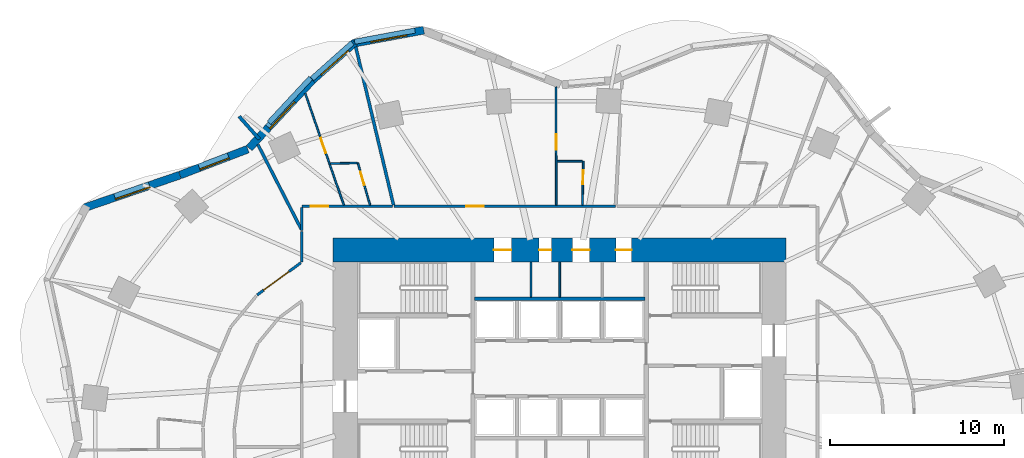
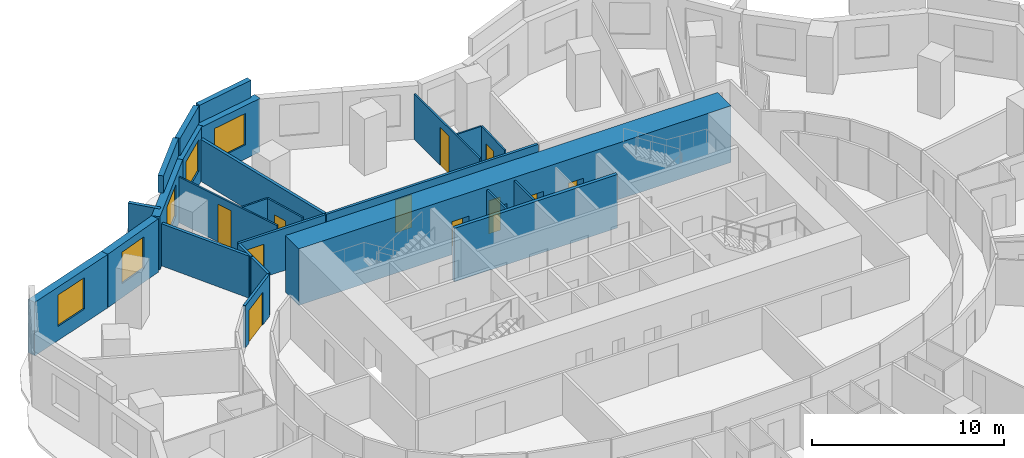
# One storey, part 8 of 11: 26 walls, 11 doors, 5 windows, 16 openings.
"""IFC4 building model written with IfcOpenShell, lengths in metres."""

from ifc_helpers import new_model, si_unit, direction, frame, frame_2d, origin, place, context, subcontext, project, spatial, rectangle, extrude, material, layer, layer_set, type_object, element, fill, save


model = new_model("IFC4")

# Units and contexts
model_context = context("Model", 3, precision=1e-05, world=origin(), true_north=direction((0.0, 1.0)))
body_context = subcontext(model_context, "Body", "Model", "MODEL_VIEW")
ifc_project = project(units=[si_unit("LENGTHUNIT", "METRE"), si_unit("AREAUNIT", "SQUARE_METRE"), si_unit("VOLUMEUNIT", "CUBIC_METRE"), si_unit("PLANEANGLEUNIT", "RADIAN"), si_unit("MASSUNIT", "GRAM", prefix="KILO")], contexts=[model_context])

# Site, building, storey
site_placement = place(None, origin())
site = spatial("IfcSite", under=ifc_project, at=site_placement, CompositionType="ELEMENT")
building_placement = place(site_placement, origin())
building = spatial("IfcBuilding", under=site, at=building_placement, Name="Rubra Terraces Tower", CompositionType="ELEMENT")
storey_placement = place(building_placement, frame((0.0, 0.0, 69.89990234375)))
storey = spatial("IfcBuildingStorey", under=building, at=storey_placement, Name="L15", CompositionType="ELEMENT", Elevation=69.89990234375)

# Walls
ifc_material_1 = material(Name="Twin plasterboard on staggered steel stud, acoustic mineral wool", Category="steel")
ifc_layer_1 = layer(ifc_material_1, 0.175048828125)
ifc_layer_set_1 = layer_set([ifc_layer_1], Name="Twin plasterboard on staggered steel stud, acoustic mineral wool")
wall_type_1 = type_object("IfcWallType", Name="ACOUSTIC PARTY WALL 175", PredefinedType="PARTITIONING", material=ifc_layer_set_1)
wall_1_placement = place(storey_placement, frame((-11.70654296875, 22.9560546875, 0.0), z_axis=(0.0, 0.0, 1.0), x_axis=(0.232379145345, -0.972625278722, 0.0)))
element("IfcWall", 1, at=wall_1_placement, inside=storey, type_object=wall_type_1, Name="PARTITION", PredefinedType="PARTITIONING", context=body_context, shape_type="SweptSolid", body=[
    extrude(rectangle(XDim=9.3388671875, YDim=0.175048828125, at=frame_2d((4.66943359375, 0.0))), origin(), (0.0, 0.0, 1.0), 2.68017578125),
])
wall_2_placement = place(storey_placement, frame((-17.322021484375, 17.347412109375, 0.0), z_axis=(0.0, 0.0, 1.0), x_axis=(0.45587154788, -0.890045578515, 0.0)))
element("IfcWall", 2, at=wall_2_placement, inside=storey, type_object=wall_type_1, Name="PARTITION", PredefinedType="PARTITIONING", context=body_context, shape_type="SweptSolid", body=[
    extrude(rectangle(XDim=5.457275390625, YDim=0.175048828125, at=frame_2d((2.728515625, 0.0))), origin(), (0.0, 0.0, 1.0), 2.68017578125),
])

# Wall, opening, window
ifc_material_2 = material(Name="Brick masonry red-brown", Category="masonry")
ifc_layer_2 = layer(ifc_material_2, 0.449951171875)
ifc_layer_set_2 = layer_set([ifc_layer_2], Name="Brick masonry red-brown")
wall_type_2 = type_object("IfcWallType", Name="Brick facade wall 450", PredefinedType="SOLIDWALL", material=ifc_layer_set_2)
wall_3_placement = place(storey_placement, frame((-7.80078125, 23.914794921875, 0.0), z_axis=(0.0, 0.0, 1.0), x_axis=(-0.983186467795, -0.182604407242, 0.0)))
wall_3 = element("IfcWall", 3, at=wall_3_placement, inside=storey, type_object=wall_type_2, Name="Facade wall L15 bay 13", PredefinedType="SOLIDWALL", context=body_context, shape_type="SweptSolid", body=[
    extrude(rectangle(XDim=4.140625, YDim=0.449951171875, at=frame_2d((2.0703125, 0.0))), origin(), (0.0, 0.0, 1.0), 3.400146484375),
])
opening_1_placement = place(wall_3_placement, frame((1.020263671875, 0.0, 0.89990234375)))
opening_1 = element("IfcOpeningElement", 4, at=opening_1_placement, cuts=wall_3, Name="Opening W1", PredefinedType="OPENING", context=body_context, shape_type="SweptSolid", body=[
    extrude(rectangle(XDim=2.10009765625, YDim=2.0, at=frame_2d((1.050048828125, 1.0))), frame((0.0, 0.23486328125, 0.0), z_axis=(0.0, -1.0, 0.0), x_axis=(1.0, 0.0, 0.0)), (0.0, 0.0, 1.0), 0.469970703125),
])
ifc_material_3 = material(Name="Clear glass in aluminium frame", Category="aluminium")
window_type_1 = type_object("IfcWindowType", Name="Fixed deep-set window 2100 x 2000", PartitioningType="SINGLE_PANEL", PredefinedType="WINDOW", material=ifc_material_3)
window_1_placement = place(opening_1_placement, origin())
window_1 = element("IfcWindow", 5, at=window_1_placement, inside=storey, type_object=window_type_1, Name="Window L15 bay 13", OverallHeight=2.0, OverallWidth=2.10009765625, PartitioningType="SINGLE_PANEL", PredefinedType="WINDOW", context=body_context, shape_type="SweptSolid", body=[
    extrude(rectangle(XDim=2.10009765625, YDim=2.0, at=frame_2d((1.050048828125, 1.0))), frame((0.0, 0.135009765625, 0.0), z_axis=(0.0, -1.0, 0.0), x_axis=(1.0, 0.0, 0.0)), (0.0, 0.0, 1.0), 0.06005859375),
])
fill(opening_1, window_1)

wall_4_placement = place(storey_placement, frame((-11.763427734375, 23.2119140625, 0.0), z_axis=(0.0, 0.0, 1.0), x_axis=(-0.74723528797, -0.664559571755, 0.0)))
wall_4 = element("IfcWall", 6, at=wall_4_placement, inside=storey, type_object=wall_type_2, Name="Facade wall L15 bay 14", PredefinedType="SOLIDWALL", context=body_context, shape_type="SweptSolid", body=[
    extrude(rectangle(XDim=3.251220703125, YDim=0.449951171875, at=frame_2d((1.62548828125, 0.0))), origin(), (0.0, 0.0, 1.0), 3.400146484375),
])
opening_2_placement = place(wall_4_placement, frame((0.57568359375, 0.0, 0.89990234375)))
opening_2 = element("IfcOpeningElement", 7, at=opening_2_placement, cuts=wall_4, Name="Opening W1", PredefinedType="OPENING", context=body_context, shape_type="SweptSolid", body=[
    extrude(rectangle(XDim=2.10009765625, YDim=2.0, at=frame_2d((1.050048828125, 1.0))), frame((0.0, 0.23486328125, 0.0), z_axis=(0.0, -1.0, 0.0), x_axis=(1.0, 0.0, 0.0)), (0.0, 0.0, 1.0), 0.469970703125),
])
window_2_placement = place(opening_2_placement, origin())
window_2 = element("IfcWindow", 8, at=window_2_placement, inside=storey, type_object=window_type_1, Name="Window L15 bay 14", OverallHeight=2.0, OverallWidth=2.10009765625, PartitioningType="SINGLE_PANEL", PredefinedType="WINDOW", context=body_context, shape_type="SweptSolid", body=[
    extrude(rectangle(XDim=2.10009765625, YDim=2.0, at=frame_2d((1.050048828125, 1.0))), frame((0.0, 0.135009765625, 0.0), z_axis=(0.0, -1.0, 0.0), x_axis=(1.0, 0.0, 0.0)), (0.0, 0.0, 1.0), 0.06005859375),
])
fill(opening_2, window_2)

wall_5_placement = place(storey_placement, frame((-14.177490234375, 21.066162109375, 0.0), z_axis=(0.0, 0.0, 1.0), x_axis=(-0.680847709714, -0.732425010617, 0.0)))
wall_5 = element("IfcWall", 9, at=wall_5_placement, inside=storey, type_object=wall_type_2, Name="Facade wall L15 bay 15", PredefinedType="SOLIDWALL", context=body_context, shape_type="SweptSolid", body=[
    extrude(rectangle(XDim=5.3583984375, YDim=0.449951171875, at=frame_2d((2.67919921875, 0.0))), origin(), (0.0, 0.0, 1.0), 3.400146484375),
])
opening_3_placement = place(wall_5_placement, frame((1.629150390625, 0.0, 0.89990234375)))
opening_3 = element("IfcOpeningElement", 10, at=opening_3_placement, cuts=wall_5, Name="Opening W1", PredefinedType="OPENING", context=body_context, shape_type="SweptSolid", body=[
    extrude(rectangle(XDim=2.10009765625, YDim=2.0, at=frame_2d((1.050048828125, 1.0))), frame((0.0, 0.23486328125, 0.0), z_axis=(0.0, -1.0, 0.0), x_axis=(1.0, 0.0, 0.0)), (0.0, 0.0, 1.0), 0.469970703125),
])
window_3_placement = place(opening_3_placement, origin())
window_3 = element("IfcWindow", 11, at=window_3_placement, inside=storey, type_object=window_type_1, Name="Window L15 bay 15", OverallHeight=2.0, OverallWidth=2.10009765625, PartitioningType="SINGLE_PANEL", PredefinedType="WINDOW", context=body_context, shape_type="SweptSolid", body=[
    extrude(rectangle(XDim=2.10009765625, YDim=2.0, at=frame_2d((1.050048828125, 1.0))), frame((0.0, 0.135009765625, 0.0), z_axis=(0.0, -1.0, 0.0), x_axis=(1.0, 0.0, 0.0)), (0.0, 0.0, 1.0), 0.06005859375),
])
fill(opening_3, window_3)

wall_6_placement = place(storey_placement, frame((-17.9033203125, 17.08740234375, 0.0), z_axis=(0.0, 0.0, 1.0), x_axis=(-0.934145554025, -0.356892258105, 0.0)))
wall_6 = element("IfcWall", 12, at=wall_6_placement, inside=storey, type_object=wall_type_2, Name="Facade wall L15 bay 16", PredefinedType="SOLIDWALL", context=body_context, shape_type="SweptSolid", body=[
    extrude(rectangle(XDim=4.16455078125, YDim=0.449951171875, at=frame_2d((2.082275390625, 0.0))), origin(), (0.0, 0.0, 1.0), 3.400146484375),
])
opening_4_placement = place(wall_6_placement, frame((1.182373046875, 0.0, 0.89990234375)))
opening_4 = element("IfcOpeningElement", 13, at=opening_4_placement, cuts=wall_6, Name="Opening W6", PredefinedType="OPENING", context=body_context, shape_type="SweptSolid", body=[
    extrude(rectangle(XDim=1.800048828125, YDim=2.0, at=frame_2d((0.89990234375, 1.0))), frame((0.0, 0.23486328125, 0.0), z_axis=(0.0, -1.0, 0.0), x_axis=(1.0, 0.0, 0.0)), (0.0, 0.0, 1.0), 0.469970703125),
])
window_type_2 = type_object("IfcWindowType", Name="Fixed deep-set window at wind fin 1800 x 2000", PartitioningType="SINGLE_PANEL", PredefinedType="WINDOW", material=ifc_material_3)
window_4_placement = place(opening_4_placement, origin())
window_4 = element("IfcWindow", 14, at=window_4_placement, inside=storey, type_object=window_type_2, Name="Window L15 bay 16", OverallHeight=2.0, OverallWidth=1.800048828125, PartitioningType="SINGLE_PANEL", PredefinedType="WINDOW", context=body_context, shape_type="SweptSolid", body=[
    extrude(rectangle(XDim=1.800048828125, YDim=2.0, at=frame_2d((0.89990234375, 1.0))), frame((0.0, 0.135009765625, 0.0), z_axis=(0.0, -1.0, 0.0), x_axis=(1.0, 0.0, 0.0)), (0.0, 0.0, 1.0), 0.06005859375),
])
fill(opening_4, window_4)

wall_7_placement = place(storey_placement, frame((-21.802978515625, 15.597412109375, 0.0), z_axis=(0.0, 0.0, 1.0), x_axis=(-0.946115314877, -0.323829910532, 0.0)))
wall_7 = element("IfcWall", 15, at=wall_7_placement, inside=storey, type_object=wall_type_2, Name="Facade wall L15 bay 17", PredefinedType="SOLIDWALL", context=body_context, shape_type="SweptSolid", body=[
    extrude(rectangle(XDim=5.782470703125, YDim=0.449951171875, at=frame_2d((2.89111328125, 0.0))), origin(), (0.0, 0.0, 1.0), 3.400146484375),
])
opening_5_placement = place(wall_7_placement, frame((1.84130859375, 0.0, 0.89990234375)))
opening_5 = element("IfcOpeningElement", 16, at=opening_5_placement, cuts=wall_7, Name="Opening W1", PredefinedType="OPENING", context=body_context, shape_type="SweptSolid", body=[
    extrude(rectangle(XDim=2.10009765625, YDim=2.0, at=frame_2d((1.050048828125, 1.0))), frame((0.0, 0.23486328125, 0.0), z_axis=(0.0, -1.0, 0.0), x_axis=(1.0, 0.0, 0.0)), (0.0, 0.0, 1.0), 0.469970703125),
])
window_5_placement = place(opening_5_placement, origin())
window_5 = element("IfcWindow", 17, at=window_5_placement, inside=storey, type_object=window_type_1, Name="Window L15 bay 17", OverallHeight=2.0, OverallWidth=2.10009765625, PartitioningType="SINGLE_PANEL", PredefinedType="WINDOW", context=body_context, shape_type="SweptSolid", body=[
    extrude(rectangle(XDim=2.10009765625, YDim=2.0, at=frame_2d((1.050048828125, 1.0))), frame((0.0, 0.135009765625, 0.0), z_axis=(0.0, -1.0, 0.0), x_axis=(1.0, 0.0, 0.0)), (0.0, 0.0, 1.0), 0.06005859375),
])
fill(opening_5, window_5)

# Walls
ifc_layer_3 = layer(ifc_material_2, 0.300048828125)
ifc_layer_set_3 = layer_set([ifc_layer_3], Name="Brick masonry red-brown")
wall_type_3 = type_object("IfcWallType", Name="Brick parapet 300", PredefinedType="PARAPET", material=ifc_layer_set_3)
wall_8_placement = place(storey_placement, frame((-8.304443359375, 23.8974609375, 3.60009765625), z_axis=(0.0, 0.0, 1.0), x_axis=(-0.983203460001, -0.182512893356, 0.0)))
element("IfcWall", 18, at=wall_8_placement, inside=storey, type_object=wall_type_3, Name="Parapet L15 bay 13", PredefinedType="PARAPET", context=body_context, shape_type="SweptSolid", body=[
    extrude(rectangle(XDim=3.52880859375, YDim=0.300048828125, at=frame_2d((1.764404296875, 0.0))), origin(), (0.0, 0.0, 1.0), 1.10009765625),
])
wall_9_placement = place(storey_placement, frame((-11.898193359375, 23.1923828125, 3.60009765625), z_axis=(0.0, 0.0, 1.0), x_axis=(-0.74726596591, -0.664525075669, 0.0)))
element("IfcWall", 19, at=wall_9_placement, inside=storey, type_object=wall_type_3, Name="Parapet L15 bay 14", PredefinedType="PARAPET", context=body_context, shape_type="SweptSolid", body=[
    extrude(rectangle(XDim=3.10107421875, YDim=0.300048828125, at=frame_2d((1.550537109375, 0.0))), origin(), (0.0, 0.0, 1.0), 1.10009765625),
])
wall_10_placement = place(storey_placement, frame((-14.293212890625, 21.173583984375, 3.60009765625), z_axis=(0.0, 0.0, 1.0), x_axis=(-0.680821476217, -0.732449395877, 0.0)))
element("IfcWall", 20, at=wall_10_placement, inside=storey, type_object=wall_type_3, Name="Parapet L15 bay 15", PredefinedType="PARAPET", context=body_context, shape_type="SweptSolid", body=[
    extrude(rectangle(XDim=3.513427734375, YDim=0.300048828125, at=frame_2d((1.7568359375, 0.0))), origin(), (0.0, 0.0, 1.0), 1.10009765625),
])
ifc_layer_4 = layer(ifc_material_2, 0.199951171875)
ifc_layer_set_4 = layer_set([ifc_layer_4], Name="Brick masonry red-brown")
wall_type_4 = type_object("IfcWallType", Name="Brick wind fin 200", PredefinedType="SOLIDWALL", material=ifc_layer_set_4)
wall_11_placement = place(storey_placement, frame((-17.239990234375, 17.659912109375, 0.0), z_axis=(0.0, 0.0, 1.0), x_axis=(-0.664017424016, 0.747717099312, 0.0)))
element("IfcWall", 21, at=wall_11_placement, inside=storey, type_object=wall_type_4, Name="Wind fin L15 9", PredefinedType="SOLIDWALL", context=body_context, shape_type="SweptSolid", body=[
    extrude(rectangle(XDim=1.75, YDim=0.199951171875, at=frame_2d((0.875, 0.0))), origin(), (0.0, 0.0, 1.0), 3.400146484375),
])

# Wall, openings, doors
ifc_material_4 = material(Name="Concrete C70", Category="concrete")
ifc_layer_5 = layer(ifc_material_4, 1.39990234375)
ifc_layer_set_5 = layer_set([ifc_layer_5], Name="Concrete C70")
wall_type_5 = type_object("IfcWallType", Name="CORE WALL 1400 C70", PredefinedType="SHEAR", material=ifc_layer_set_5)
wall_12_placement = place(storey_placement, frame((-13.0, 11.300048828125, 0.0), z_axis=(0.0, 0.0, 1.0), x_axis=(1.0, 0.0, 0.0)))
wall_12 = element("IfcWall", 22, at=wall_12_placement, inside=storey, type_object=wall_type_5, Name="CORE WALL N L15", PredefinedType="SHEAR", context=body_context, shape_type="SweptSolid", body=[
    extrude(rectangle(XDim=26.0, YDim=1.39990234375, at=frame_2d((13.0, 0.0))), origin(), (0.0, 0.0, 1.0), 3.60009765625),
])
opening_6_placement = place(wall_12_placement, frame((9.22509765625, 0.0, 0.0)))
opening_6 = element("IfcOpeningElement", 23, at=opening_6_placement, cuts=wall_12, Name="Opening L15.C23", PredefinedType="OPENING", context=body_context, shape_type="SweptSolid", body=[
    extrude(rectangle(XDim=1.0, YDim=2.10009765625, at=frame_2d((0.5, 1.050048828125))), frame((0.0, 0.7099609375, 0.0), z_axis=(0.0, -1.0, 0.0), x_axis=(1.0, 0.0, 0.0)), (0.0, 0.0, 1.0), 1.419921875),
])
opening_7_placement = place(wall_12_placement, frame((11.824951171875, 0.0, 0.0)))
opening_7 = element("IfcOpeningElement", 24, at=opening_7_placement, cuts=wall_12, Name="Opening L15.C24", PredefinedType="OPENING", context=body_context, shape_type="SweptSolid", body=[
    extrude(rectangle(XDim=0.699951171875, YDim=2.10009765625, at=frame_2d((0.35009765625, 1.050048828125))), frame((0.0, 0.7099609375, 0.0), z_axis=(0.0, -1.0, 0.0), x_axis=(1.0, 0.0, 0.0)), (0.0, 0.0, 1.0), 1.419921875),
])
opening_8_placement = place(wall_12_placement, frame((13.72509765625, 0.0, 0.0)))
opening_8 = element("IfcOpeningElement", 25, at=opening_8_placement, cuts=wall_12, Name="Opening L15.C25", PredefinedType="OPENING", context=body_context, shape_type="SweptSolid", body=[
    extrude(rectangle(XDim=1.0, YDim=2.10009765625, at=frame_2d((0.5, 1.050048828125))), frame((0.0, 0.7099609375, 0.0), z_axis=(0.0, -1.0, 0.0), x_axis=(1.0, 0.0, 0.0)), (0.0, 0.0, 1.0), 1.419921875),
])
opening_9_placement = place(wall_12_placement, frame((16.22509765625, 0.0, 0.0)))
opening_9 = element("IfcOpeningElement", 26, at=opening_9_placement, cuts=wall_12, Name="Opening L15.C26", PredefinedType="OPENING", context=body_context, shape_type="SweptSolid", body=[
    extrude(rectangle(XDim=0.89990234375, YDim=2.10009765625, at=frame_2d((0.449951171875, 1.050048828125))), frame((0.0, 0.7099609375, 0.0), z_axis=(0.0, -1.0, 0.0), x_axis=(1.0, 0.0, 0.0)), (0.0, 0.0, 1.0), 1.419921875),
])
ifc_material_5 = material(Name="Painted steel", Category="steel")
door_type_1 = type_object("IfcDoorType", Name="Fire door 1000x2100 single", OperationType="NOTDEFINED", PredefinedType="DOOR", material=ifc_material_5)
door_1_placement = place(opening_6_placement, origin())
door_1 = element("IfcDoor", 27, at=door_1_placement, inside=storey, type_object=door_type_1, Name="General store door", OperationType="SINGLE_SWING_LEFT", OverallHeight=2.10009765625, OverallWidth=1.0, PredefinedType="DOOR", context=body_context, shape_type="SweptSolid", body=[
    extrude(rectangle(XDim=1.0, YDim=2.10009765625, at=frame_2d((0.5, 1.050048828125))), frame((0.0, 0.02490234375, 0.0), z_axis=(0.0, -1.0, 0.0), x_axis=(1.0, 0.0, 0.0)), (0.0, 0.0, 1.0), 0.050048828125),
])
fill(opening_6, door_1)
door_2_placement = place(opening_8_placement, origin())
door_2 = element("IfcDoor", 28, at=door_2_placement, inside=storey, type_object=door_type_1, Name="Tea point door", OperationType="SINGLE_SWING_LEFT", OverallHeight=2.10009765625, OverallWidth=1.0, PredefinedType="DOOR", context=body_context, shape_type="SweptSolid", body=[
    extrude(rectangle(XDim=1.0, YDim=2.10009765625, at=frame_2d((0.5, 1.050048828125))), frame((0.0, 0.02490234375, 0.0), z_axis=(0.0, -1.0, 0.0), x_axis=(1.0, 0.0, 0.0)), (0.0, 0.0, 1.0), 0.050048828125),
])
fill(opening_8, door_2)
door_type_2 = type_object("IfcDoorType", Name="Fire door 900x2100 single", OperationType="NOTDEFINED", PredefinedType="DOOR", material=ifc_material_5)
door_3_placement = place(opening_9_placement, origin())
door_3 = element("IfcDoor", 29, at=door_3_placement, inside=storey, type_object=door_type_2, Name="Cleaner's store door", OperationType="SINGLE_SWING_RIGHT", OverallHeight=2.10009765625, OverallWidth=0.89990234375, PredefinedType="DOOR", context=body_context, shape_type="SweptSolid", body=[
    extrude(rectangle(XDim=0.89990234375, YDim=2.10009765625, at=frame_2d((0.449951171875, 1.050048828125))), frame((0.0, 0.02490234375, 0.0), z_axis=(0.0, -1.0, 0.0), x_axis=(1.0, 0.0, 0.0)), (0.0, 0.0, 1.0), 0.050048828125),
])
fill(opening_9, door_3)
door_type_3 = type_object("IfcDoorType", Name="Riser access door 700x2100 single", OperationType="NOTDEFINED", PredefinedType="DOOR", material=ifc_material_5)
door_4_placement = place(opening_7_placement, origin())
door_4 = element("IfcDoor", 30, at=door_4_placement, inside=storey, type_object=door_type_3, Name="Electrical riser room door", OperationType="SINGLE_SWING_RIGHT", OverallHeight=2.10009765625, OverallWidth=0.699951171875, PredefinedType="DOOR", context=body_context, shape_type="SweptSolid", body=[
    extrude(rectangle(XDim=0.699951171875, YDim=2.10009765625, at=frame_2d((0.35009765625, 1.050048828125))), frame((0.0, 0.02490234375, 0.0), z_axis=(0.0, -1.0, 0.0), x_axis=(1.0, 0.0, 0.0)), (0.0, 0.0, 1.0), 0.050048828125),
])
fill(opening_7, door_4)

# Wall, opening, door
ifc_material_6 = material(Name="Plasterboard on steel stud, mineral wool infill", Category="steel")
ifc_layer_6 = layer(ifc_material_6, 0.14990234375)
ifc_layer_set_6 = layer_set([ifc_layer_6], Name="Plasterboard on steel stud, mineral wool infill")
wall_type_6 = type_object("IfcWallType", Name="CORRIDOR PARTITION 150", PredefinedType="PARTITIONING", material=ifc_layer_set_6)
wall_13_placement = place(storey_placement, frame((3.20947265625, 13.800048828125, 0.0), z_axis=(0.0, 0.0, 1.0), x_axis=(-1.0, 0.0, 0.0)))
wall_13 = element("IfcWall", 31, at=wall_13_placement, inside=storey, type_object=wall_type_6, Name="PARTITION", PredefinedType="PARTITIONING", context=body_context, shape_type="SweptSolid", body=[
    extrude(rectangle(XDim=12.728271484375, YDim=0.14990234375, at=frame_2d((6.3642578125, 0.0))), origin(), (0.0, 0.0, 1.0), 2.68017578125),
])
opening_10_placement = place(wall_13_placement, frame((7.568115234375, 0.0, 0.0)))
opening_10 = element("IfcOpeningElement", 32, at=opening_10_placement, cuts=wall_13, Name="Opening 15-103", PredefinedType="OPENING", context=body_context, shape_type="SweptSolid", body=[
    extrude(rectangle(XDim=1.0, YDim=2.10009765625, at=frame_2d((0.5, 1.050048828125))), frame((0.0, 0.0849609375, 0.0), z_axis=(0.0, -1.0, 0.0), x_axis=(1.0, 0.0, 0.0)), (0.0, 0.0, 1.0), 0.169921875),
])
ifc_material_7 = material(Name="Painted timber door leaf", Category="wood")
door_type_4 = type_object("IfcDoorType", Name="ROOM DOOR 1000 X 2100", OperationType="SINGLE_SWING_LEFT", PredefinedType="DOOR", material=ifc_material_7)
door_5_placement = place(opening_10_placement, origin())
door_5 = element("IfcDoor", 33, at=door_5_placement, inside=storey, type_object=door_type_4, Name="DOOR 15-103", OperationType="SINGLE_SWING_RIGHT", OverallHeight=2.10009765625, OverallWidth=1.0, PredefinedType="DOOR", context=body_context, shape_type="SweptSolid", body=[
    extrude(rectangle(XDim=1.0, YDim=2.10009765625, at=frame_2d((0.5, 1.050048828125))), frame((0.0, 0.02490234375, 0.0), z_axis=(0.0, -1.0, 0.0), x_axis=(1.0, 0.0, 0.0)), (0.0, 0.0, 1.0), 0.050048828125),
])
fill(opening_10, door_5)

wall_14_placement = place(storey_placement, frame((-9.593994140625, 13.800048828125, 0.0), z_axis=(0.0, 0.0, 1.0), x_axis=(-1.0, 0.0, 0.0)))
wall_14 = element("IfcWall", 34, at=wall_14_placement, inside=storey, type_object=wall_type_6, Name="PARTITION", PredefinedType="PARTITIONING", context=body_context, shape_type="SweptSolid", body=[
    extrude(rectangle(XDim=5.2060546875, YDim=0.14990234375, at=frame_2d((2.60302734375, 0.0))), origin(), (0.0, 0.0, 1.0), 2.68017578125),
])
opening_11_placement = place(wall_14_placement, frame((3.699951171875, 0.0, 0.0)))
opening_11 = element("IfcOpeningElement", 35, at=opening_11_placement, cuts=wall_14, Name="Opening 15-106", PredefinedType="OPENING", context=body_context, shape_type="SweptSolid", body=[
    extrude(rectangle(XDim=1.0, YDim=2.10009765625, at=frame_2d((0.5, 1.050048828125))), frame((0.0, 0.0849609375, 0.0), z_axis=(0.0, -1.0, 0.0), x_axis=(1.0, 0.0, 0.0)), (0.0, 0.0, 1.0), 0.169921875),
])
door_6_placement = place(opening_11_placement, origin())
door_6 = element("IfcDoor", 36, at=door_6_placement, inside=storey, type_object=door_type_4, Name="DOOR 15-106", OperationType="SINGLE_SWING_RIGHT", OverallHeight=2.10009765625, OverallWidth=1.0, PredefinedType="DOOR", context=body_context, shape_type="SweptSolid", body=[
    extrude(rectangle(XDim=1.0, YDim=2.10009765625, at=frame_2d((0.5, 1.050048828125))), frame((0.0, 0.02490234375, 0.0), z_axis=(0.0, -1.0, 0.0), x_axis=(1.0, 0.0, 0.0)), (0.0, 0.0, 1.0), 0.050048828125),
])
fill(opening_11, door_6)

# Walls
wall_15_placement = place(storey_placement, frame((-14.800048828125, 13.72509765625, 0.0), z_axis=(0.0, 0.0, 1.0), x_axis=(0.0, -1.0, 0.0)))
element("IfcWall", 37, at=wall_15_placement, inside=storey, type_object=wall_type_6, Name="PARTITION", PredefinedType="PARTITIONING", context=body_context, shape_type="SweptSolid", body=[
    extrude(rectangle(XDim=1.3017578125, YDim=0.14990234375, at=frame_2d((0.65087890625, 0.0))), origin(), (0.0, 0.0, 1.0), 2.68017578125),
])
wall_16_placement = place(storey_placement, frame((-14.800048828125, 12.348388671875, 0.0), z_axis=(0.0, 0.0, 1.0), x_axis=(0.0, -1.0, 0.0)))
element("IfcWall", 38, at=wall_16_placement, inside=storey, type_object=wall_type_6, Name="PARTITION", PredefinedType="PARTITIONING", context=body_context, shape_type="SweptSolid", body=[
    extrude(rectangle(XDim=1.740966796875, YDim=0.14990234375, at=frame_2d((0.87060546875, 0.0))), origin(), (0.0, 0.0, 1.0), 2.68017578125),
])

# Wall, opening, door
wall_17_placement = place(storey_placement, frame((-14.860595703125, 10.56298828125, 0.0), z_axis=(0.0, 0.0, 1.0), x_axis=(-0.805237071219, -0.592952999094, 0.0)))
wall_17 = element("IfcWall", 39, at=wall_17_placement, inside=storey, type_object=wall_type_6, Name="PARTITION", PredefinedType="PARTITIONING", context=body_context, shape_type="SweptSolid", body=[
    extrude(rectangle(XDim=3.1142578125, YDim=0.14990234375, at=frame_2d((1.55712890625, 0.0))), origin(), (0.0, 0.0, 1.0), 2.68017578125),
])
opening_12_placement = place(wall_17_placement, frame((0.85009765625, 0.0, 0.0)))
opening_12 = element("IfcOpeningElement", 40, at=opening_12_placement, cuts=wall_17, Name="Opening 15-107", PredefinedType="OPENING", context=body_context, shape_type="SweptSolid", body=[
    extrude(rectangle(XDim=1.800048828125, YDim=2.10009765625, at=frame_2d((0.89990234375, 1.050048828125))), frame((0.0, 0.0849609375, 0.0), z_axis=(0.0, -1.0, 0.0), x_axis=(1.0, 0.0, 0.0)), (0.0, 0.0, 1.0), 0.169921875),
])
ifc_material_8 = material(Name="Painted timber door leaf, double", Category="wood")
door_type_5 = type_object("IfcDoorType", Name="ROOM DOUBLE DOOR 1800 X 2100", OperationType="DOUBLE_DOOR_SINGLE_SWING", PredefinedType="DOOR", material=ifc_material_8)
door_7_placement = place(opening_12_placement, origin())
door_7 = element("IfcDoor", 41, at=door_7_placement, inside=storey, type_object=door_type_5, Name="DOOR 15-107", OperationType="DOUBLE_DOOR_SINGLE_SWING", OverallHeight=2.10009765625, OverallWidth=1.800048828125, PredefinedType="DOOR", context=body_context, shape_type="SweptSolid", body=[
    extrude(rectangle(XDim=1.800048828125, YDim=2.10009765625, at=frame_2d((0.89990234375, 1.050048828125))), frame((0.0, 0.02490234375, 0.0), z_axis=(0.0, -1.0, 0.0), x_axis=(1.0, 0.0, 0.0)), (0.0, 0.0, 1.0), 0.050048828125),
])
fill(opening_12, door_7)

# Wall
ifc_material_9 = material(Name="Concrete C30", Category="concrete")
ifc_layer_7 = layer(ifc_material_9, 0.199951171875)
ifc_layer_set_7 = layer_set([ifc_layer_7], Name="Concrete C30")
wall_type_7 = type_object("IfcWallType", Name="Core wall 200 concrete", PredefinedType="SOLIDWALL", material=ifc_layer_set_7)
wall_18_placement = place(storey_placement, frame((-4.89990234375, 8.5, 0.0), z_axis=(0.0, 0.0, 1.0), x_axis=(1.0, 0.0, 0.0)))
element("IfcWall", 42, at=wall_18_placement, inside=storey, type_object=wall_type_7, Name="LIFT SHAFT WALL L15", PredefinedType="SOLIDWALL", context=body_context, shape_type="SweptSolid", body=[
    extrude(rectangle(XDim=9.7998046875, YDim=0.199951171875, at=frame_2d((4.89990234375, 0.0))), origin(), (0.0, 0.0, 1.0), 3.400146484375),
])

# Wall, opening, door
ifc_material_10 = material(Name="Plasterboard on steel stud", Category="steel")
ifc_layer_8 = layer(ifc_material_10, 0.10009765625)
ifc_layer_set_8 = layer_set([ifc_layer_8], Name="Plasterboard on steel stud")
wall_type_8 = type_object("IfcWallType", Name="ROOM PARTITION 100", PredefinedType="PARTITIONING", material=ifc_layer_set_8)
wall_19_placement = place(storey_placement, frame((-0.212890625, 20.656005859375, 0.0), z_axis=(0.0, 0.0, 1.0), x_axis=(0.002196214325, -0.999997588318, 0.0)))
wall_19 = element("IfcWall", 43, at=wall_19_placement, inside=storey, type_object=wall_type_8, Name="PARTITION", PredefinedType="PARTITIONING", context=body_context, shape_type="SweptSolid", body=[
    extrude(rectangle(XDim=6.781005859375, YDim=0.10009765625, at=frame_2d((3.390625, 0.0))), origin(), (0.0, 0.0, 1.0), 2.898193359375),
])
opening_13_placement = place(wall_19_placement, frame((2.7060546875, 0.0, 0.0)))
opening_13 = element("IfcOpeningElement", 44, at=opening_13_placement, cuts=wall_19, Name="Opening 15-102", PredefinedType="OPENING", context=body_context, shape_type="SweptSolid", body=[
    extrude(rectangle(XDim=0.89990234375, YDim=2.39990234375, at=frame_2d((0.449951171875, 1.199951171875))), frame((0.0, 0.06005859375, 0.0), z_axis=(0.0, -1.0, 0.0), x_axis=(1.0, 0.0, 0.0)), (0.0, 0.0, 1.0), 0.1201171875),
])
ifc_material_11 = material(Name="Veneered timber door leaf, fire-rated", Category="wood")
door_type_6 = type_object("IfcDoorType", Name="SUITE ENTRANCE DOOR 900 X 2400", OperationType="SINGLE_SWING_LEFT", PredefinedType="DOOR", material=ifc_material_11)
door_8_placement = place(opening_13_placement, origin())
door_8 = element("IfcDoor", 45, at=door_8_placement, inside=storey, type_object=door_type_6, Name="DOOR 15-102", OperationType="SINGLE_SWING_LEFT", OverallHeight=2.39990234375, OverallWidth=0.89990234375, PredefinedType="DOOR", context=body_context, shape_type="SweptSolid", body=[
    extrude(rectangle(XDim=0.89990234375, YDim=2.39990234375, at=frame_2d((0.449951171875, 1.199951171875))), frame((0.0, 0.02490234375, 0.0), z_axis=(0.0, -1.0, 0.0), x_axis=(1.0, 0.0, 0.0)), (0.0, 0.0, 1.0), 0.050048828125),
])
fill(opening_13, door_8)

wall_20_placement = place(storey_placement, frame((1.303955078125, 13.875, 0.0), z_axis=(0.0, 0.0, 1.0), x_axis=(0.02165836135, 0.99976543018, 0.0)))
wall_20 = element("IfcWall", 46, at=wall_20_placement, inside=storey, type_object=wall_type_8, Name="PARTITION", PredefinedType="PARTITIONING", context=body_context, shape_type="SweptSolid", body=[
    extrude(rectangle(XDim=2.52490234375, YDim=0.10009765625, at=frame_2d((1.262451171875, 0.0))), origin(), (0.0, 0.0, 1.0), 2.898193359375),
])
opening_14_placement = place(wall_20_placement, frame((1.199951171875, 0.0, 0.0)))
opening_14 = element("IfcOpeningElement", 47, at=opening_14_placement, cuts=wall_20, Name="Opening 15-101", PredefinedType="OPENING", context=body_context, shape_type="SweptSolid", body=[
    extrude(rectangle(XDim=0.800048828125, YDim=2.10009765625, at=frame_2d((0.39990234375, 1.050048828125))), frame((0.0, 0.06005859375, 0.0), z_axis=(0.0, -1.0, 0.0), x_axis=(1.0, 0.0, 0.0)), (0.0, 0.0, 1.0), 0.1201171875),
])
door_type_7 = type_object("IfcDoorType", Name="BATHROOM DOOR 800 X 2100", OperationType="SINGLE_SWING_LEFT", PredefinedType="DOOR", material=ifc_material_7)
door_9_placement = place(opening_14_placement, origin())
door_9 = element("IfcDoor", 48, at=door_9_placement, inside=storey, type_object=door_type_7, Name="DOOR 15-101", OperationType="SINGLE_SWING_LEFT", OverallHeight=2.10009765625, OverallWidth=0.800048828125, PredefinedType="DOOR", context=body_context, shape_type="SweptSolid", body=[
    extrude(rectangle(XDim=0.800048828125, YDim=2.10009765625, at=frame_2d((0.39990234375, 1.050048828125))), frame((0.0, 0.02490234375, 0.0), z_axis=(0.0, -1.0, 0.0), x_axis=(1.0, 0.0, 0.0)), (0.0, 0.0, 1.0), 0.050048828125),
])
fill(opening_14, door_9)

# Wall
wall_21_placement = place(storey_placement, frame((1.30859375, 16.3994140625, 0.0), z_axis=(0.0, 0.0, 1.0), x_axis=(-0.99999994424, 0.000333945548, 0.0)))
element("IfcWall", 49, at=wall_21_placement, inside=storey, type_object=wall_type_8, Name="PARTITION", PredefinedType="PARTITIONING", context=body_context, shape_type="SweptSolid", body=[
    extrude(rectangle(XDim=1.462158203125, YDim=0.10009765625, at=frame_2d((0.73095703125, 0.0))), origin(), (0.0, 0.0, 1.0), 2.898193359375),
])

# Wall, opening, door
wall_22_placement = place(storey_placement, frame((-14.603271484375, 20.27197265625, 0.0), z_axis=(0.0, 0.0, 1.0), x_axis=(0.327245485349, -0.94493935907, 0.0)))
wall_22 = element("IfcWall", 50, at=wall_22_placement, inside=storey, type_object=wall_type_8, Name="PARTITION", PredefinedType="PARTITIONING", context=body_context, shape_type="SweptSolid", body=[
    extrude(rectangle(XDim=6.774169921875, YDim=0.10009765625, at=frame_2d((3.38720703125, 0.0))), origin(), (0.0, 0.0, 1.0), 2.898193359375),
])
opening_15_placement = place(wall_22_placement, frame((2.698974609375, 0.0, 0.0)))
opening_15 = element("IfcOpeningElement", 51, at=opening_15_placement, cuts=wall_22, Name="Opening 15-105", PredefinedType="OPENING", context=body_context, shape_type="SweptSolid", body=[
    extrude(rectangle(XDim=0.89990234375, YDim=2.39990234375, at=frame_2d((0.449951171875, 1.199951171875))), frame((0.0, 0.06005859375, 0.0), z_axis=(0.0, -1.0, 0.0), x_axis=(1.0, 0.0, 0.0)), (0.0, 0.0, 1.0), 0.1201171875),
])
door_10_placement = place(opening_15_placement, origin())
door_10 = element("IfcDoor", 52, at=door_10_placement, inside=storey, type_object=door_type_6, Name="DOOR 15-105", OperationType="SINGLE_SWING_LEFT", OverallHeight=2.39990234375, OverallWidth=0.89990234375, PredefinedType="DOOR", context=body_context, shape_type="SweptSolid", body=[
    extrude(rectangle(XDim=0.89990234375, YDim=2.39990234375, at=frame_2d((0.449951171875, 1.199951171875))), frame((0.0, 0.02490234375, 0.0), z_axis=(0.0, -1.0, 0.0), x_axis=(1.0, 0.0, 0.0)), (0.0, 0.0, 1.0), 0.050048828125),
])
fill(opening_15, door_10)

wall_23_placement = place(storey_placement, frame((-10.8828125, 13.8720703125, 0.0), z_axis=(0.0, 0.0, 1.0), x_axis=(-0.277503955304, 0.960724494739, 0.0)))
wall_23 = element("IfcWall", 53, at=wall_23_placement, inside=storey, type_object=wall_type_8, Name="PARTITION", PredefinedType="PARTITIONING", context=body_context, shape_type="SweptSolid", body=[
    extrude(rectangle(XDim=2.52490234375, YDim=0.10009765625, at=frame_2d((1.262451171875, 0.0))), origin(), (0.0, 0.0, 1.0), 2.898193359375),
])
opening_16_placement = place(wall_23_placement, frame((1.199951171875, 0.0, 0.0)))
opening_16 = element("IfcOpeningElement", 54, at=opening_16_placement, cuts=wall_23, Name="Opening 15-104", PredefinedType="OPENING", context=body_context, shape_type="SweptSolid", body=[
    extrude(rectangle(XDim=0.800048828125, YDim=2.10009765625, at=frame_2d((0.39990234375, 1.050048828125))), frame((0.0, 0.06005859375, 0.0), z_axis=(0.0, -1.0, 0.0), x_axis=(1.0, 0.0, 0.0)), (0.0, 0.0, 1.0), 0.1201171875),
])
door_11_placement = place(opening_16_placement, origin())
door_11 = element("IfcDoor", 55, at=door_11_placement, inside=storey, type_object=door_type_7, Name="DOOR 15-104", OperationType="SINGLE_SWING_LEFT", OverallHeight=2.10009765625, OverallWidth=0.800048828125, PredefinedType="DOOR", context=body_context, shape_type="SweptSolid", body=[
    extrude(rectangle(XDim=0.800048828125, YDim=2.10009765625, at=frame_2d((0.39990234375, 1.050048828125))), frame((0.0, 0.02490234375, 0.0), z_axis=(0.0, -1.0, 0.0), x_axis=(1.0, 0.0, 0.0)), (0.0, 0.0, 1.0), 0.050048828125),
])
fill(opening_16, door_11)

# Walls
wall_24_placement = place(storey_placement, frame((-11.633544921875, 16.296630859375, 0.0), z_axis=(0.0, 0.0, 1.0), x_axis=(-0.999682039253, -0.025215479279, 0.0)))
element("IfcWall", 56, at=wall_24_placement, inside=storey, type_object=wall_type_8, Name="PARTITION", PredefinedType="PARTITIONING", context=body_context, shape_type="SweptSolid", body=[
    extrude(rectangle(XDim=1.52978515625, YDim=0.10009765625, at=frame_2d((0.764892578125, 0.0))), origin(), (0.0, 0.0, 1.0), 2.898193359375),
])
ifc_material_12 = material(Name="Blockwork", Category="masonry")
ifc_layer_9 = layer(ifc_material_12, 0.10009765625)
ifc_layer_set_9 = layer_set([ifc_layer_9], Name="Blockwork")
wall_type_9 = type_object("IfcWallType", Name="Service partition 100 blockwork", PredefinedType="PARTITIONING", material=ifc_layer_set_9)
for number, where, z_axis, x_axis, name in (
    (57, (-1.64990234375, 8.60009765625, 0.0), (0.0, 0.0, 1.0), (0.0, 1.0, 0.0), "SERVICE ROOM PARTITION L15"),
    (58, (0.0, 8.60009765625, 0.0), (0.0, 0.0, 1.0), (0.0, 1.0, 0.0), "SERVICE ROOM PARTITION L15"),
):
    element("IfcWall", number, at=place(storey_placement, frame(where, z_axis=z_axis, x_axis=x_axis)), inside=storey, type_object=wall_type_9, Name=name, PredefinedType="PARTITIONING", context=body_context, shape_type="SweptSolid", body=[
        extrude(rectangle(XDim=2.0, YDim=0.10009765625, at=frame_2d((1.0, 0.0))), origin(), (0.0, 0.0, 1.0), 3.400146484375),
    ])

save(model, "model.ifc")
